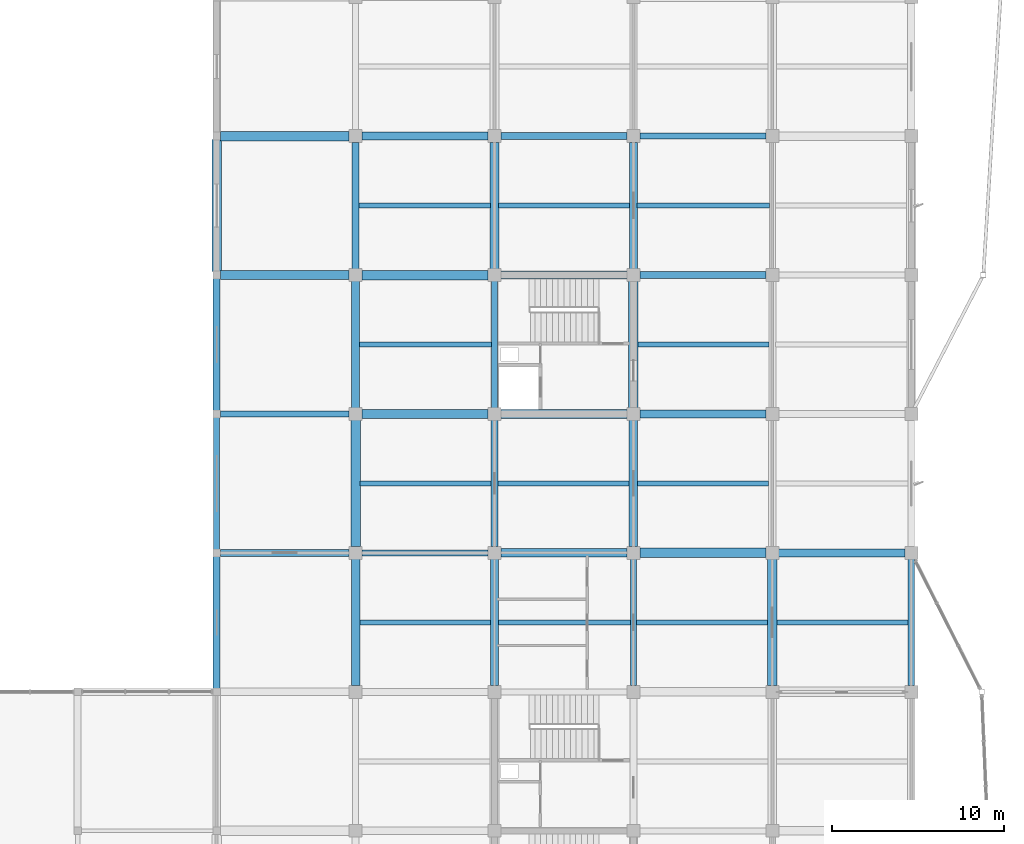
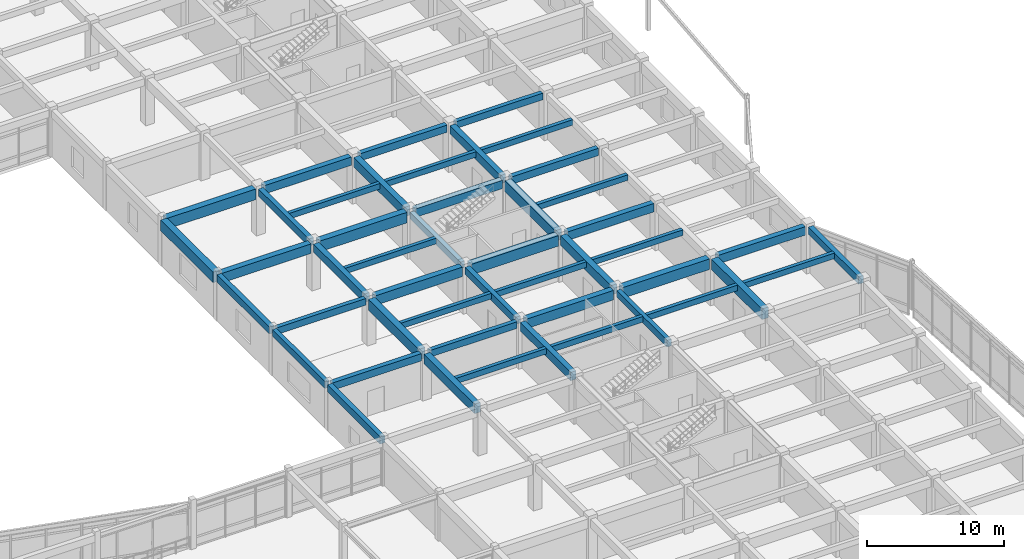
# One storey, part 39 of 89: 47 beams.
"""IFC4 building model written with IfcOpenShell, lengths in metres."""

from ifc_helpers import new_model, si_unit, direction, frame, origin, origin_2d, place, context, subcontext, project, spatial, rectangle, extrude, material, material_profile, profile_set, type_object, element, save


model = new_model("IFC4")

# Units and contexts
model_context = context("Model", 3, precision=1e-05, world=origin(), true_north=direction((0.0, 1.0)))
body_context = subcontext(model_context, "Body", "Model", "MODEL_VIEW")
ifc_project = project(units=[si_unit("LENGTHUNIT", "METRE"), si_unit("AREAUNIT", "SQUARE_METRE"), si_unit("VOLUMEUNIT", "CUBIC_METRE"), si_unit("PLANEANGLEUNIT", "RADIAN"), si_unit("MASSUNIT", "GRAM", prefix="KILO")], contexts=[model_context])

# Site, building, storey
site_placement = place(None, origin())
site = spatial("IfcSite", under=ifc_project, at=site_placement, CompositionType="ELEMENT")
building_placement = place(site_placement, origin())
building = spatial("IfcBuilding", under=site, at=building_placement, Name="Vaudrelin Polytechnic", CompositionType="ELEMENT")
storey_placement = place(building_placement, frame((0.0, 0.0, 9.68994140625)))
storey = spatial("IfcBuildingStorey", under=building, at=storey_placement, Name="L02", CompositionType="ELEMENT", Elevation=9.68994140625)

# Beams
ifc_material_1 = material(Name="Concrete 40 MPa", Category="concrete")
ifc_material_profile_1 = material_profile(ifc_material_1, rectangle(XDim=0.35009765625, YDim=0.60009765625, at=origin_2d()), Name="RC350x600")
ifc_profile_set_1 = profile_set([ifc_material_profile_1], Name="Concrete 40 MPa")
beam_type_1 = type_object("IfcBeamType", Name="BM-BM-RC3560", PredefinedType="BEAM", material=ifc_profile_set_1)
beam_1_placement = place(storey_placement, frame((129.60009765625, 56.909912109375, 3.840087890625), z_axis=(0.0, 1.0, 0.0), x_axis=(-1.0, 0.0, 0.0)))
element("IfcBeam", 1, at=beam_1_placement, inside=storey, type_object=beam_type_1, Name="L02 Y-beam 17-8", PredefinedType="BEAM", context=body_context, shape_type="SweptSolid", body=[
    extrude(rectangle(XDim=0.35009765625, YDim=0.60009765625, at=origin_2d()), origin(), (0.0, 0.0, 1.0), 7.68017578125),
])
for number, where, z_axis, x_axis, name in (
    (2, (145.800048828125, 65.159912109375, 3.840087890625), (0.0, 1.0, 0.0), (-1.0, 0.0, 0.0), "L02 Y-beam 19-9"),
    (3, (153.89990234375, 48.9599609375, 3.840087890625), (0.0, 1.0, 0.0), (-1.0, 0.0, 0.0), "L02 Y-beam 20-7"),
):
    element("IfcBeam", number, at=place(storey_placement, frame(where, z_axis=z_axis, x_axis=x_axis)), inside=storey, type_object=beam_type_1, Name=name, PredefinedType="BEAM", context=body_context, shape_type="SweptSolid", body=[
        extrude(rectangle(XDim=0.35009765625, YDim=0.60009765625, at=origin_2d()), origin(), (0.0, 0.0, 1.0), 7.380126953125),
    ])
beam_2_placement = place(storey_placement, frame((129.821044921875, 64.800048828125, 3.840087890625), z_axis=(1.0, 0.0, 0.0), x_axis=(0.0, 1.0, 0.0)))
element("IfcBeam", 4, at=beam_2_placement, inside=storey, type_object=beam_type_1, Name="L02 X-beam 17-9", PredefinedType="BEAM", context=body_context, shape_type="SweptSolid", body=[
    extrude(rectangle(XDim=0.35009765625, YDim=0.60009765625, at=origin_2d()), origin(), (0.0, 0.0, 1.0), 7.508056640625),
])
for number, where, z_axis, x_axis, name in (
    (5, (138.071044921875, 56.699951171875, 3.840087890625), (1.0, 0.0, 0.0), (0.0, 1.0, 0.0), "L02 X-beam 18-8"),
    (6, (154.27099609375, 81.0, 3.840087890625), (1.0, 0.0, 0.0), (0.0, 1.0, 0.0), "L02 X-beam 20-11"),
):
    element("IfcBeam", number, at=place(storey_placement, frame(where, z_axis=z_axis, x_axis=x_axis)), inside=storey, type_object=beam_type_1, Name=name, PredefinedType="BEAM", context=body_context, shape_type="SweptSolid", body=[
        extrude(rectangle(XDim=0.35009765625, YDim=0.60009765625, at=origin_2d()), origin(), (0.0, 0.0, 1.0), 7.35791015625),
    ])
ifc_material_profile_2 = material_profile(ifc_material_1, rectangle(XDim=0.39990234375, YDim=0.64990234375, at=origin_2d()), Name="RC400x650")
ifc_profile_set_2 = profile_set([ifc_material_profile_2], Name="Concrete 40 MPa")
beam_type_2 = type_object("IfcBeamType", Name="BM-BM-RC4065", PredefinedType="BEAM", material=ifc_profile_set_2)
beam_3_placement = place(storey_placement, frame((129.60009765625, 48.81005859375, 3.81494140625), z_axis=(0.0, 1.0, 0.0), x_axis=(-1.0, 0.0, 0.0)))
element("IfcBeam", 7, at=beam_3_placement, inside=storey, type_object=beam_type_2, Name="L02 Y-beam 17-7", PredefinedType="BEAM", context=body_context, shape_type="SweptSolid", body=[
    extrude(rectangle(XDim=0.39990234375, YDim=0.64990234375, at=origin_2d()), origin(), (0.0, 0.0, 1.0), 7.679931640625),
])
for number, where, z_axis, x_axis, name in (
    (8, (137.699951171875, 73.260009765625, 3.81494140625), (0.0, 1.0, 0.0), (-1.0, 0.0, 0.0), "L02 Y-beam 18-10"),
    (9, (145.800048828125, 57.06005859375, 3.81494140625), (0.0, 1.0, 0.0), (-1.0, 0.0, 0.0), "L02 Y-beam 19-8"),
):
    element("IfcBeam", number, at=place(storey_placement, frame(where, z_axis=z_axis, x_axis=x_axis)), inside=storey, type_object=beam_type_2, Name=name, PredefinedType="BEAM", context=body_context, shape_type="SweptSolid", body=[
        extrude(rectangle(XDim=0.39990234375, YDim=0.64990234375, at=origin_2d()), origin(), (0.0, 0.0, 1.0), 7.3798828125),
    ])
beam_4_placement = place(storey_placement, frame((170.10009765625, 48.9599609375, 3.81494140625), z_axis=(0.0, 1.0, 0.0), x_axis=(-1.0, 0.0, 0.0)))
element("IfcBeam", 10, at=beam_4_placement, inside=storey, type_object=beam_type_2, Name="L02 Y-beam 22-7", PredefinedType="BEAM", context=body_context, shape_type="SweptSolid", body=[
    extrude(rectangle(XDim=0.39990234375, YDim=0.64990234375, at=origin_2d()), origin(), (0.0, 0.0, 1.0), 7.380126953125),
])
beam_5_placement = place(storey_placement, frame((129.821044921875, 56.699951171875, 3.81494140625), z_axis=(1.0, 0.0, 0.0), x_axis=(0.0, 1.0, 0.0)))
element("IfcBeam", 11, at=beam_5_placement, inside=storey, type_object=beam_type_2, Name="L02 X-beam 17-8", PredefinedType="BEAM", context=body_context, shape_type="SweptSolid", body=[
    extrude(rectangle(XDim=0.39990234375, YDim=0.64990234375, at=origin_2d()), origin(), (0.0, 0.0, 1.0), 7.508056640625),
])
beam_6_placement = place(storey_placement, frame((146.1708984375, 81.0, 3.81494140625), z_axis=(1.0, 0.0, 0.0), x_axis=(0.0, 1.0, 0.0)))
element("IfcBeam", 12, at=beam_6_placement, inside=storey, type_object=beam_type_2, Name="L02 X-beam 19-11", PredefinedType="BEAM", context=body_context, shape_type="SweptSolid", body=[
    extrude(rectangle(XDim=0.39990234375, YDim=0.64990234375, at=origin_2d()), origin(), (0.0, 0.0, 1.0), 7.358154296875),
])
beam_7_placement = place(storey_placement, frame((154.27099609375, 72.89990234375, 3.81494140625), z_axis=(1.0, 0.0, 0.0), x_axis=(0.0, 1.0, 0.0)))
element("IfcBeam", 13, at=beam_7_placement, inside=storey, type_object=beam_type_2, Name="L02 X-beam 20-10", PredefinedType="BEAM", context=body_context, shape_type="SweptSolid", body=[
    extrude(rectangle(XDim=0.39990234375, YDim=0.64990234375, at=origin_2d()), origin(), (0.0, 0.0, 1.0), 7.35791015625),
])
ifc_material_profile_3 = material_profile(ifc_material_1, rectangle(XDim=0.449951171875, YDim=0.75, at=origin_2d()), Name="RC450x750")
ifc_profile_set_3 = profile_set([ifc_material_profile_3], Name="Concrete 40 MPa")
beam_type_3 = type_object("IfcBeamType", Name="BM-BM-RC4575", PredefinedType="BEAM", material=ifc_profile_set_3)
for number, where, z_axis, x_axis, name in (
    (14, (137.699951171875, 65.159912109375, 3.76513671875), (0.0, 1.0, 0.0), (-1.0, 0.0, 0.0), "L02 Y-beam 18-9"),
    (15, (145.800048828125, 48.9599609375, 3.76513671875), (0.0, 1.0, 0.0), (-1.0, 0.0, 0.0), "L02 Y-beam 19-7"),
):
    element("IfcBeam", number, at=place(storey_placement, frame(where, z_axis=z_axis, x_axis=x_axis)), inside=storey, type_object=beam_type_3, Name=name, PredefinedType="BEAM", context=body_context, shape_type="SweptSolid", body=[
        extrude(rectangle(XDim=0.449951171875, YDim=0.75, at=origin_2d()), origin(), (0.0, 0.0, 1.0), 7.380126953125),
    ])
beam_8_placement = place(storey_placement, frame((153.89990234375, 73.260009765625, 3.76513671875), z_axis=(0.0, 1.0, 0.0), x_axis=(-1.0, 0.0, 0.0)))
element("IfcBeam", 16, at=beam_8_placement, inside=storey, type_object=beam_type_3, Name="L02 Y-beam 20-10", PredefinedType="BEAM", context=body_context, shape_type="SweptSolid", body=[
    extrude(rectangle(XDim=0.449951171875, YDim=0.75, at=origin_2d()), origin(), (0.0, 0.0, 1.0), 7.3798828125),
])
beam_9_placement = place(storey_placement, frame((138.071044921875, 81.0, 3.76513671875), z_axis=(1.0, 0.0, 0.0), x_axis=(0.0, 1.0, 0.0)))
element("IfcBeam", 17, at=beam_9_placement, inside=storey, type_object=beam_type_3, Name="L02 X-beam 18-11", PredefinedType="BEAM", context=body_context, shape_type="SweptSolid", body=[
    extrude(rectangle(XDim=0.449951171875, YDim=0.75, at=origin_2d()), origin(), (0.0, 0.0, 1.0), 7.35791015625),
])
beam_10_placement = place(storey_placement, frame((146.1708984375, 72.89990234375, 3.76513671875), z_axis=(1.0, 0.0, 0.0), x_axis=(0.0, 1.0, 0.0)))
element("IfcBeam", 18, at=beam_10_placement, inside=storey, type_object=beam_type_3, Name="L02 X-beam 19-10", PredefinedType="BEAM", context=body_context, shape_type="SweptSolid", body=[
    extrude(rectangle(XDim=0.449951171875, YDim=0.75, at=origin_2d()), origin(), (0.0, 0.0, 1.0), 7.358154296875),
])
for number, where, z_axis, x_axis, name in (
    (19, (154.27099609375, 64.800048828125, 3.76513671875), (1.0, 0.0, 0.0), (0.0, 1.0, 0.0), "L02 X-beam 20-9"),
    (20, (162.37109375, 56.699951171875, 3.76513671875), (1.0, 0.0, 0.0), (0.0, 1.0, 0.0), "L02 X-beam 21-8"),
):
    element("IfcBeam", number, at=place(storey_placement, frame(where, z_axis=z_axis, x_axis=x_axis)), inside=storey, type_object=beam_type_3, Name=name, PredefinedType="BEAM", context=body_context, shape_type="SweptSolid", body=[
        extrude(rectangle(XDim=0.449951171875, YDim=0.75, at=origin_2d()), origin(), (0.0, 0.0, 1.0), 7.35791015625),
    ])
ifc_material_profile_4 = material_profile(ifc_material_1, rectangle(XDim=0.5, YDim=0.85009765625, at=origin_2d()), Name="RC500x850")
ifc_profile_set_4 = profile_set([ifc_material_profile_4], Name="Concrete 40 MPa")
beam_type_4 = type_object("IfcBeamType", Name="BM-BM-RC5085", PredefinedType="BEAM", material=ifc_profile_set_4)
beam_11_placement = place(storey_placement, frame((137.699951171875, 48.9599609375, 3.715087890625), z_axis=(0.0, 1.0, 0.0), x_axis=(-1.0, 0.0, 0.0)))
element("IfcBeam", 21, at=beam_11_placement, inside=storey, type_object=beam_type_4, Name="L02 Y-beam 18-7", PredefinedType="BEAM", context=body_context, shape_type="SweptSolid", body=[
    extrude(rectangle(XDim=0.5, YDim=0.85009765625, at=origin_2d()), origin(), (0.0, 0.0, 1.0), 7.380126953125),
])
for number, where, z_axis, x_axis, name in (
    (22, (145.800048828125, 73.260009765625, 3.715087890625), (0.0, 1.0, 0.0), (-1.0, 0.0, 0.0), "L02 Y-beam 19-10"),
    (23, (153.89990234375, 57.06005859375, 3.715087890625), (0.0, 1.0, 0.0), (-1.0, 0.0, 0.0), "L02 Y-beam 20-8"),
):
    element("IfcBeam", number, at=place(storey_placement, frame(where, z_axis=z_axis, x_axis=x_axis)), inside=storey, type_object=beam_type_4, Name=name, PredefinedType="BEAM", context=body_context, shape_type="SweptSolid", body=[
        extrude(rectangle(XDim=0.5, YDim=0.85009765625, at=origin_2d()), origin(), (0.0, 0.0, 1.0), 7.3798828125),
    ])
beam_12_placement = place(storey_placement, frame((129.821044921875, 72.89990234375, 3.715087890625), z_axis=(1.0, 0.0, 0.0), x_axis=(0.0, 1.0, 0.0)))
element("IfcBeam", 24, at=beam_12_placement, inside=storey, type_object=beam_type_4, Name="L02 X-beam 17-10", PredefinedType="BEAM", context=body_context, shape_type="SweptSolid", body=[
    extrude(rectangle(XDim=0.5, YDim=0.85009765625, at=origin_2d()), origin(), (0.0, 0.0, 1.0), 7.508056640625),
])
beam_13_placement = place(storey_placement, frame((138.071044921875, 64.800048828125, 3.715087890625), z_axis=(1.0, 0.0, 0.0), x_axis=(0.0, 1.0, 0.0)))
element("IfcBeam", 25, at=beam_13_placement, inside=storey, type_object=beam_type_4, Name="L02 X-beam 18-9", PredefinedType="BEAM", context=body_context, shape_type="SweptSolid", body=[
    extrude(rectangle(XDim=0.5, YDim=0.85009765625, at=origin_2d()), origin(), (0.0, 0.0, 1.0), 7.35791015625),
])
beam_14_placement = place(storey_placement, frame((146.1708984375, 56.699951171875, 3.715087890625), z_axis=(1.0, 0.0, 0.0), x_axis=(0.0, 1.0, 0.0)))
element("IfcBeam", 26, at=beam_14_placement, inside=storey, type_object=beam_type_4, Name="L02 X-beam 19-8", PredefinedType="BEAM", context=body_context, shape_type="SweptSolid", body=[
    extrude(rectangle(XDim=0.5, YDim=0.85009765625, at=origin_2d()), origin(), (0.0, 0.0, 1.0), 7.358154296875),
])
ifc_material_2 = material(Name="Concrete 50 MPa", Category="concrete")
ifc_material_profile_5 = material_profile(ifc_material_2, rectangle(XDim=0.550048828125, YDim=0.949951171875, at=origin_2d()), Name="RC550x950")
ifc_profile_set_5 = profile_set([ifc_material_profile_5], Name="Concrete 50 MPa")
beam_type_5 = type_object("IfcBeamType", Name="BM-BM-RC5595", PredefinedType="BEAM", material=ifc_profile_set_5)
beam_15_placement = place(storey_placement, frame((129.60009765625, 73.110107421875, 3.6650390625), z_axis=(0.0, 1.0, 0.0), x_axis=(-1.0, 0.0, 0.0)))
element("IfcBeam", 27, at=beam_15_placement, inside=storey, type_object=beam_type_5, Name="L02 Y-beam 17-10", PredefinedType="BEAM", context=body_context, shape_type="SweptSolid", body=[
    extrude(rectangle(XDim=0.550048828125, YDim=0.949951171875, at=origin_2d()), origin(), (0.0, 0.0, 1.0), 7.679931640625),
])
beam_16_placement = place(storey_placement, frame((137.699951171875, 57.06005859375, 3.6650390625), z_axis=(0.0, 1.0, 0.0), x_axis=(-1.0, 0.0, 0.0)))
element("IfcBeam", 28, at=beam_16_placement, inside=storey, type_object=beam_type_5, Name="L02 Y-beam 18-8", PredefinedType="BEAM", context=body_context, shape_type="SweptSolid", body=[
    extrude(rectangle(XDim=0.550048828125, YDim=0.949951171875, at=origin_2d()), origin(), (0.0, 0.0, 1.0), 7.3798828125),
])
for number, where, z_axis, x_axis, name in (
    (29, (153.89990234375, 65.159912109375, 3.6650390625), (0.0, 1.0, 0.0), (-1.0, 0.0, 0.0), "L02 Y-beam 20-9"),
    (30, (162.0, 48.9599609375, 3.6650390625), (0.0, 1.0, 0.0), (-1.0, 0.0, 0.0), "L02 Y-beam 21-7"),
):
    element("IfcBeam", number, at=place(storey_placement, frame(where, z_axis=z_axis, x_axis=x_axis)), inside=storey, type_object=beam_type_5, Name=name, PredefinedType="BEAM", context=body_context, shape_type="SweptSolid", body=[
        extrude(rectangle(XDim=0.550048828125, YDim=0.949951171875, at=origin_2d()), origin(), (0.0, 0.0, 1.0), 7.380126953125),
    ])
beam_17_placement = place(storey_placement, frame((129.821044921875, 81.0, 3.6650390625), z_axis=(1.0, 0.0, 0.0), x_axis=(0.0, 1.0, 0.0)))
element("IfcBeam", 31, at=beam_17_placement, inside=storey, type_object=beam_type_5, Name="L02 X-beam 17-11", PredefinedType="BEAM", context=body_context, shape_type="SweptSolid", body=[
    extrude(rectangle(XDim=0.550048828125, YDim=0.949951171875, at=origin_2d()), origin(), (0.0, 0.0, 1.0), 7.508056640625),
])
beam_18_placement = place(storey_placement, frame((138.071044921875, 72.89990234375, 3.6650390625), z_axis=(1.0, 0.0, 0.0), x_axis=(0.0, 1.0, 0.0)))
element("IfcBeam", 32, at=beam_18_placement, inside=storey, type_object=beam_type_5, Name="L02 X-beam 18-10", PredefinedType="BEAM", context=body_context, shape_type="SweptSolid", body=[
    extrude(rectangle(XDim=0.550048828125, YDim=0.949951171875, at=origin_2d()), origin(), (0.0, 0.0, 1.0), 7.35791015625),
])
beam_19_placement = place(storey_placement, frame((146.1708984375, 64.800048828125, 3.6650390625), z_axis=(1.0, 0.0, 0.0), x_axis=(0.0, 1.0, 0.0)))
element("IfcBeam", 33, at=beam_19_placement, inside=storey, type_object=beam_type_5, Name="L02 X-beam 19-9", PredefinedType="BEAM", context=body_context, shape_type="SweptSolid", body=[
    extrude(rectangle(XDim=0.550048828125, YDim=0.949951171875, at=origin_2d()), origin(), (0.0, 0.0, 1.0), 7.358154296875),
])
beam_20_placement = place(storey_placement, frame((154.27099609375, 56.699951171875, 3.6650390625), z_axis=(1.0, 0.0, 0.0), x_axis=(0.0, 1.0, 0.0)))
element("IfcBeam", 34, at=beam_20_placement, inside=storey, type_object=beam_type_5, Name="L02 X-beam 20-8", PredefinedType="BEAM", context=body_context, shape_type="SweptSolid", body=[
    extrude(rectangle(XDim=0.550048828125, YDim=0.949951171875, at=origin_2d()), origin(), (0.0, 0.0, 1.0), 7.35791015625),
])
ifc_material_profile_6 = material_profile(ifc_material_1, rectangle(XDim=0.300048828125, YDim=0.5, at=origin_2d()), Name="RC300x500")
ifc_profile_set_6 = profile_set([ifc_material_profile_6], Name="Concrete 40 MPa")
beam_type_6 = type_object("IfcBeamType", Name="BM-JS-RC3050", PredefinedType="JOIST", material=ifc_profile_set_6)
for number, where, z_axis, x_axis, name in (
    (35, (137.946044921875, 52.64990234375, 3.89013671875), (1.0, 0.0, 0.0), (0.0, 1.0, 0.0), "L02 floor joist 18-7"),
    (36, (137.970947265625, 60.75, 3.89013671875), (1.0, 0.0, 0.0), (0.0, 1.0, 0.0), "L02 floor joist 18-8"),
):
    element("IfcBeam", number, at=place(storey_placement, frame(where, z_axis=z_axis, x_axis=x_axis)), inside=storey, type_object=beam_type_6, Name=name, PredefinedType="JOIST", context=body_context, shape_type="SweptSolid", body=[
        extrude(rectangle(XDim=0.300048828125, YDim=0.5, at=origin_2d()), origin(), (0.0, 0.0, 1.0), 7.633056640625),
    ])
beam_21_placement = place(storey_placement, frame((137.9208984375, 68.85009765625, 3.89013671875), z_axis=(1.0, 0.0, 0.0), x_axis=(0.0, 1.0, 0.0)))
element("IfcBeam", 37, at=beam_21_placement, inside=storey, type_object=beam_type_6, Name="L02 floor joist 18-9", PredefinedType="JOIST", context=body_context, shape_type="SweptSolid", body=[
    extrude(rectangle(XDim=0.300048828125, YDim=0.5, at=origin_2d()), origin(), (0.0, 0.0, 1.0), 7.7080078125),
])
beam_22_placement = place(storey_placement, frame((137.89599609375, 76.949951171875, 3.89013671875), z_axis=(1.0, 0.0, 0.0), x_axis=(0.0, 1.0, 0.0)))
element("IfcBeam", 38, at=beam_22_placement, inside=storey, type_object=beam_type_6, Name="L02 floor joist 18-10", PredefinedType="JOIST", context=body_context, shape_type="SweptSolid", body=[
    extrude(rectangle(XDim=0.300048828125, YDim=0.5, at=origin_2d()), origin(), (0.0, 0.0, 1.0), 7.657958984375),
])
beam_23_placement = place(storey_placement, frame((146.02099609375, 52.64990234375, 3.89013671875), z_axis=(1.0, 0.0, 0.0), x_axis=(0.0, 1.0, 0.0)))
element("IfcBeam", 39, at=beam_23_placement, inside=storey, type_object=beam_type_6, Name="L02 floor joist 19-7", PredefinedType="JOIST", context=body_context, shape_type="SweptSolid", body=[
    extrude(rectangle(XDim=0.300048828125, YDim=0.5, at=origin_2d()), origin(), (0.0, 0.0, 1.0), 7.7080078125),
])
beam_24_placement = place(storey_placement, frame((145.99609375, 60.75, 3.89013671875), z_axis=(1.0, 0.0, 0.0), x_axis=(0.0, 1.0, 0.0)))
element("IfcBeam", 40, at=beam_24_placement, inside=storey, type_object=beam_type_6, Name="L02 floor joist 19-8", PredefinedType="JOIST", context=body_context, shape_type="SweptSolid", body=[
    extrude(rectangle(XDim=0.300048828125, YDim=0.5, at=origin_2d()), origin(), (0.0, 0.0, 1.0), 7.657958984375),
])
beam_25_placement = place(storey_placement, frame((146.0458984375, 76.949951171875, 3.89013671875), z_axis=(1.0, 0.0, 0.0), x_axis=(0.0, 1.0, 0.0)))
element("IfcBeam", 41, at=beam_25_placement, inside=storey, type_object=beam_type_6, Name="L02 floor joist 19-10", PredefinedType="JOIST", context=body_context, shape_type="SweptSolid", body=[
    extrude(rectangle(XDim=0.300048828125, YDim=0.5, at=origin_2d()), origin(), (0.0, 0.0, 1.0), 7.633056640625),
])
beam_26_placement = place(storey_placement, frame((154.071044921875, 52.64990234375, 3.89013671875), z_axis=(1.0, 0.0, 0.0), x_axis=(0.0, 1.0, 0.0)))
element("IfcBeam", 42, at=beam_26_placement, inside=storey, type_object=beam_type_6, Name="L02 floor joist 20-7", PredefinedType="JOIST", context=body_context, shape_type="SweptSolid", body=[
    extrude(rectangle(XDim=0.300048828125, YDim=0.5, at=origin_2d()), origin(), (0.0, 0.0, 1.0), 7.657958984375),
])
for number, where, z_axis, x_axis, name in (
    (43, (154.14599609375, 60.75, 3.89013671875), (1.0, 0.0, 0.0), (0.0, 1.0, 0.0), "L02 floor joist 20-8"),
    (44, (154.1708984375, 68.85009765625, 3.89013671875), (1.0, 0.0, 0.0), (0.0, 1.0, 0.0), "L02 floor joist 20-9"),
):
    element("IfcBeam", number, at=place(storey_placement, frame(where, z_axis=z_axis, x_axis=x_axis)), inside=storey, type_object=beam_type_6, Name=name, PredefinedType="JOIST", context=body_context, shape_type="SweptSolid", body=[
        extrude(rectangle(XDim=0.300048828125, YDim=0.5, at=origin_2d()), origin(), (0.0, 0.0, 1.0), 7.633056640625),
    ])
beam_27_placement = place(storey_placement, frame((154.12109375, 76.949951171875, 3.89013671875), z_axis=(1.0, 0.0, 0.0), x_axis=(0.0, 1.0, 0.0)))
element("IfcBeam", 45, at=beam_27_placement, inside=storey, type_object=beam_type_6, Name="L02 floor joist 20-10", PredefinedType="JOIST", context=body_context, shape_type="SweptSolid", body=[
    extrude(rectangle(XDim=0.300048828125, YDim=0.5, at=origin_2d()), origin(), (0.0, 0.0, 1.0), 7.7080078125),
])
beam_28_placement = place(storey_placement, frame((162.27099609375, 52.64990234375, 3.89013671875), z_axis=(1.0, 0.0, 0.0), x_axis=(0.0, 1.0, 0.0)))
element("IfcBeam", 46, at=beam_28_placement, inside=storey, type_object=beam_type_6, Name="L02 floor joist 21-7", PredefinedType="JOIST", context=body_context, shape_type="SweptSolid", body=[
    extrude(rectangle(XDim=0.300048828125, YDim=0.5, at=origin_2d()), origin(), (0.0, 0.0, 1.0), 7.633056640625),
])
ifc_material_profile_7 = material_profile(ifc_material_1, rectangle(XDim=0.39990234375, YDim=0.64990234375, at=origin_2d()), Name="RC400x650")
ifc_profile_set_7 = profile_set([ifc_material_profile_7], Name="Concrete 40 MPa")
beam_type_7 = type_object("IfcBeamType", Name="BM-SP-RC4065", PredefinedType="SPANDREL", material=ifc_profile_set_7)
beam_29_placement = place(storey_placement, frame((129.60009765625, 65.010009765625, 3.81494140625), z_axis=(0.0, 1.0, 0.0), x_axis=(-1.0, 0.0, 0.0)))
element("IfcBeam", 47, at=beam_29_placement, inside=storey, type_object=beam_type_7, Name="L02 Y-beam 17-9", PredefinedType="SPANDREL", context=body_context, shape_type="SweptSolid", body=[
    extrude(rectangle(XDim=0.39990234375, YDim=0.64990234375, at=origin_2d()), origin(), (0.0, 0.0, 1.0), 7.679931640625),
])

save(model, "model.ifc")
